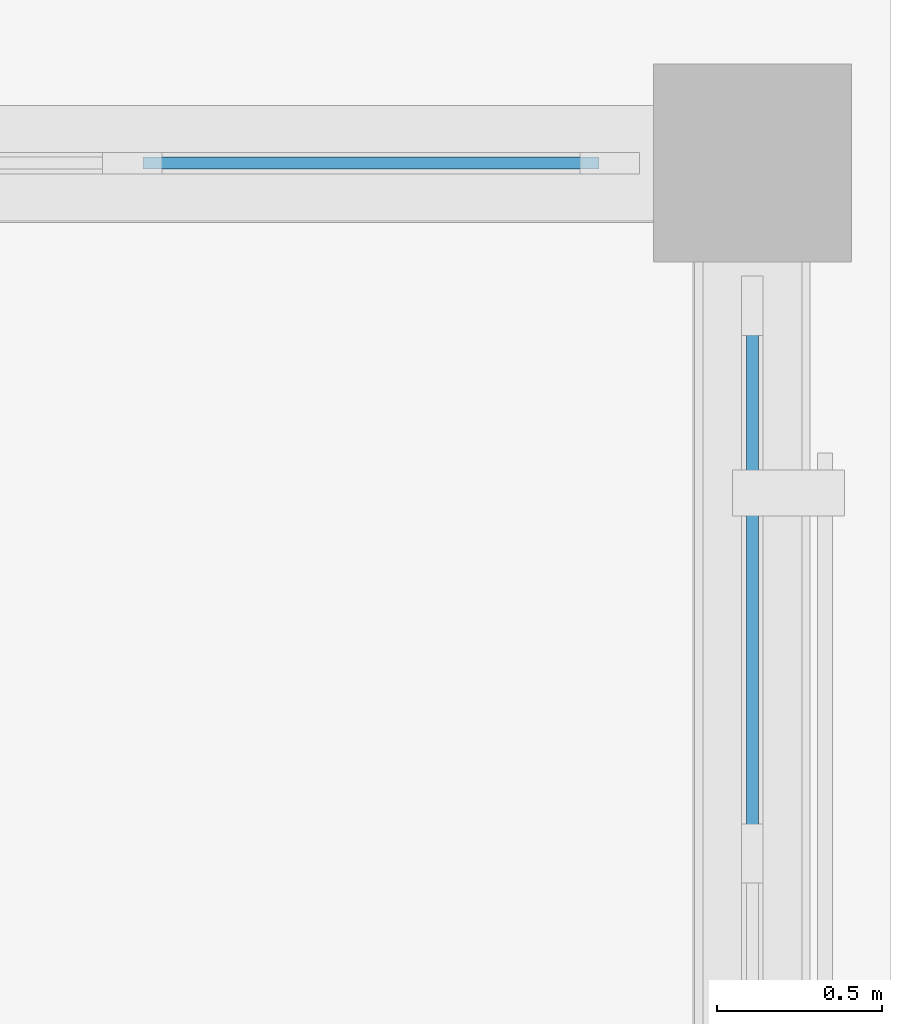
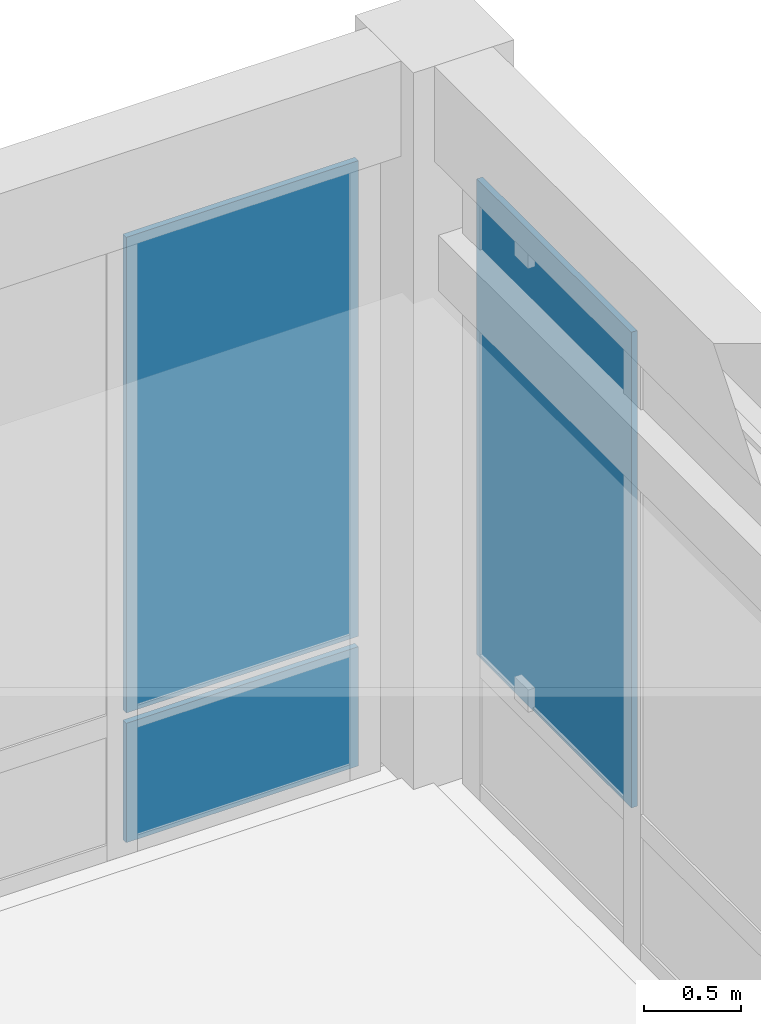
# One storey, part 33 of 49: 3 plates, 2 elements without a shape of their own.
"""IFC4 building model written with IfcOpenShell, lengths in metres."""

import ifcopenshell
import ifcopenshell.guid

model = None  # the IFC model being written
_history = None  # IfcOwnerHistory: only IFC2X3 demands one
_inside = {}  # id of a spatial element -> (the spatial element, [elements in it])
_under = {}  # id of a project, library or spatial element -> (it, [spatial elements below it])
_declared = {}  # id of a project -> (the project, [libraries it declares])
_typed = {}  # id of a type object -> (the type object, [elements of that type])
_made_of = {}  # id of a material, layer set ... -> (it, [elements and type objects made of it])


def new_model(schema):
    """Start an empty IFC model of exactly this schema.

    Asked for "IFC4X3", IfcOpenShell would pick the latest addendum, in which some entities
    have other attributes; the version numbers below select the first issue.
    IFC2X3 requires an IfcOwnerHistory on every rooted entity: one is made here for all.
    """
    global model, _history
    if schema == "IFC4X3":
        model = ifcopenshell.file(schema_version=(4, 3, 0, 0))
    else:
        model = ifcopenshell.file(schema=schema)
    _inside.clear()
    _under.clear()
    _declared.clear()
    _typed.clear()
    _made_of.clear()
    _history = None
    if model.schema == "IFC2X3":
        org = make("IfcOrganization", Name="unknown")
        user = make(
            "IfcPersonAndOrganization",
            ThePerson=make("IfcPerson", FamilyName="unknown"),
            TheOrganization=org,
        )
        app = make(
            "IfcApplication",
            ApplicationDeveloper=org,
            Version="unknown",
            ApplicationFullName="unknown",
            ApplicationIdentifier="unknown",
        )
        _history = make(
            "IfcOwnerHistory",
            OwningUser=user,
            OwningApplication=app,
            ChangeAction="ADDED",
            CreationDate=0,
        )
    return model


def make(cls, **values):
    """One entity of the class cls with the attributes given. An attribute that is None is left unset."""
    return model.create_entity(
        cls, **{name: value for name, value in values.items() if value is not None}
    )


def rooted(cls, **values):
    """An entity with a GlobalId (a new one), such as an element, a storey or a relation."""
    return make(cls, GlobalId=ifcopenshell.guid.new(), OwnerHistory=_history, **values)


def si_unit(unit_type, name, prefix=None):
    """IfcSIUnit, for example si_unit("LENGTHUNIT", "METRE", prefix="MILLI")."""
    return make("IfcSIUnit", UnitType=unit_type, Prefix=prefix, Name=name)


def assignment(units):
    """IfcUnitAssignment: the units of a project."""
    return None if units is None else make("IfcUnitAssignment", Units=units)


def point(xyz):
    """IfcCartesianPoint."""
    return None if xyz is None else make("IfcCartesianPoint", Coordinates=xyz)


def direction(xyz):
    """IfcDirection."""
    return None if xyz is None else make("IfcDirection", DirectionRatios=xyz)


def frame(location, z_axis=None, x_axis=None):
    """IfcAxis2Placement3D, a coordinate frame: its origin and axes. An axis left out is left unset."""
    return make(
        "IfcAxis2Placement3D",
        Location=point(location),
        Axis=direction(z_axis),
        RefDirection=direction(x_axis),
    )


def frame_2d(location, x_axis=None):
    """IfcAxis2Placement2D, a coordinate frame in the plane: its origin and x axis."""
    return make(
        "IfcAxis2Placement2D", Location=point(location), RefDirection=direction(x_axis)
    )


def origin():
    """The frame at (0, 0, 0) with its axes left unset."""
    return frame((0.0, 0.0, 0.0))


def origin_2d():
    """The frame at (0, 0) in the plane with its x axis left unset."""
    return frame_2d((0.0, 0.0))


def place(relative_to, where):
    """IfcLocalPlacement: puts the frame where relative to a parent placement (None: the world)."""
    return make(
        "IfcLocalPlacement", PlacementRelTo=relative_to, RelativePlacement=where
    )


def context(
    kind, dimensions, precision=None, world=None, true_north=None, identifier=None
):
    """IfcGeometricRepresentationContext, for example the 3D "Model" context."""
    return make(
        "IfcGeometricRepresentationContext",
        ContextIdentifier=identifier,
        ContextType=kind,
        CoordinateSpaceDimension=dimensions,
        Precision=precision,
        WorldCoordinateSystem=world,
        TrueNorth=true_north,
    )


def subcontext(parent, identifier, kind, view, scale=None):
    """IfcGeometricRepresentationSubContext, for example "Body" below "Model"."""
    return make(
        "IfcGeometricRepresentationSubContext",
        ContextIdentifier=identifier,
        ContextType=kind,
        ParentContext=parent,
        TargetScale=scale,
        TargetView=view,
    )


def project(units=None, contexts=None):
    """IfcProject with its units and contexts."""
    return rooted(
        "IfcProject",
        Name="project",
        RepresentationContexts=contexts,
        UnitsInContext=assignment(units),
    )


def spatial(cls, under=None, at=None, **own):
    """A site, building, storey or space (cls), placed at a placement, below another one or the project."""
    s = rooted(cls, ObjectPlacement=at, **own)
    if under is not None:
        _under.setdefault(under.id(), (under, []))[1].append(s)
    return s


def profile(cls, at=None, kind="AREA", **sizes):
    """A parametric profile (cls). Its sizes go by their IFC names, for example OverallWidth=200.0."""
    return make(cls, ProfileType=kind, Position=at, **sizes)


def rectangle(**sizes):
    """IfcRectangleProfileDef."""
    return profile("IfcRectangleProfileDef", **sizes)


def extrude(swept, where, along, depth):
    """IfcExtrudedAreaSolid: the profile swept, set in the frame where, extruded along a direction by depth."""
    return make(
        "IfcExtrudedAreaSolid",
        SweptArea=swept,
        Position=where,
        ExtrudedDirection=direction(along),
        Depth=depth,
    )


def shape(context_of_items, identifier, shape_type, items):
    """IfcShapeRepresentation: the items that make up one representation, for example the "Body"."""
    return make(
        "IfcShapeRepresentation",
        ContextOfItems=context_of_items,
        RepresentationIdentifier=identifier,
        RepresentationType=shape_type,
        Items=items,
    )


def material(Name=None, Category=None):
    """IfcMaterial."""
    return make("IfcMaterial", Name=Name, Category=Category)


def layer(
    of_material, thickness, ventilated=None, Name=None, Category=None, Priority=None
):
    """IfcMaterialLayer: one layer of a wall or slab, of a material (None: an air gap)."""
    return make(
        "IfcMaterialLayer",
        Material=of_material,
        LayerThickness=thickness,
        IsVentilated=ventilated,
        Name=Name,
        Category=Category,
        Priority=Priority,
    )


def layer_set(layers, Name=None):
    """IfcMaterialLayerSet."""
    return make("IfcMaterialLayerSet", MaterialLayers=layers, LayerSetName=Name)


def made_of(thing, what):
    """Note that an element or type object is made of a material, layer set ...; save() writes the relation."""
    if what is not None:
        _made_of.setdefault(what.id(), (what, []))[1].append(thing)
    return thing


def type_object(cls, material=None, **own):
    """A type object (cls), such as IfcWallType, which elements share."""
    return made_of(rooted(cls, **own), material)


def element(
    cls,
    number,
    at=None,
    inside=None,
    cuts=None,
    type_object=None,
    material=None,
    context=None,
    identifier="Body",
    shape_type=None,
    held_by="IfcProductDefinitionShape",
    body=None,
    shapes=None,
    **own,
):
    """One element of the class cls, such as IfcWall. Its Tag is "e" and its number.

    at: its placement. inside: the storey or other place that contains it. cuts: it is an
    opening in that element (IfcRelVoidsElement). A single representation is given by context,
    identifier, shape_type and body (its items); several are given by shapes. held_by: the class
    of the entity that holds the representations. save() writes the other relations.
    """
    e = rooted(cls, Tag="e%d" % number, ObjectPlacement=at, **own)
    if body is not None:
        shapes = [shape(context, identifier, shape_type, body)]
    if shapes is not None:
        e.Representation = make(held_by, Representations=shapes)
    if inside is not None:
        _inside.setdefault(inside.id(), (inside, []))[1].append(e)
    if cuts is not None:
        rooted(
            "IfcRelVoidsElement", RelatingBuildingElement=cuts, RelatedOpeningElement=e
        )
    if type_object is not None:
        _typed.setdefault(type_object.id(), (type_object, []))[1].append(e)
    return made_of(e, material)


def aggregate(whole, parts):
    """IfcRelAggregates: a whole, such as a stair, and the parts it consists of."""
    return rooted("IfcRelAggregates", RelatingObject=whole, RelatedObjects=parts)


def save(model, path):
    """Write the relations noted so far, then the file.

    IfcRelAggregates (storeys below a building ...), IfcRelContainedInSpatialStructure (elements
    in a storey), IfcRelDefinesByType, IfcRelAssociatesMaterial and IfcRelDeclares: one each for
    every whole, place, type object, material and project.
    """
    for whole, parts in _under.values():
        aggregate(whole, parts)
    for where, things in _inside.values():
        rooted(
            "IfcRelContainedInSpatialStructure",
            RelatedElements=things,
            RelatingStructure=where,
        )
    for kind, things in _typed.values():
        rooted("IfcRelDefinesByType", RelatedObjects=things, RelatingType=kind)
    for what, things in _made_of.values():
        rooted("IfcRelAssociatesMaterial", RelatedObjects=things, RelatingMaterial=what)
    for by, libraries in _declared.values():
        rooted("IfcRelDeclares", RelatingContext=by, RelatedDefinitions=libraries)
    model.write(path)


model = new_model("IFC4")

# Units and contexts
model_context = context("Model", 3, precision=1e-05, world=origin(), true_north=direction((0.0, 1.0)))
body_context = subcontext(model_context, "Body", "Model", "MODEL_VIEW")
ifc_project = project(units=[si_unit("LENGTHUNIT", "METRE"), si_unit("AREAUNIT", "SQUARE_METRE"), si_unit("VOLUMEUNIT", "CUBIC_METRE"), si_unit("PLANEANGLEUNIT", "RADIAN"), si_unit("MASSUNIT", "GRAM", prefix="KILO")], contexts=[model_context])

# Site, building, storey
site_placement = place(None, origin())
site = spatial("IfcSite", under=ifc_project, at=site_placement, CompositionType="ELEMENT")
building_placement = place(site_placement, origin())
building = spatial("IfcBuilding", under=site, at=building_placement, Name="Qandaris Square Conservatory and Botanical Centre", CompositionType="ELEMENT")
storey_placement = place(building_placement, frame((0.0, 0.0, 10.199951171875)))
storey = spatial("IfcBuildingStorey", under=building, at=storey_placement, Name="L02", CompositionType="ELEMENT", Elevation=10.199951171875)

# Curtain wall, plate
ifc_material_1 = material(Name="Anodised Aluminium", Category="aluminium")
curtain_wall_type_1 = type_object("IfcCurtainWallType", Name="Unitised Curtain Wall CW-4-677x394", PredefinedType="USERDEFINED", material=ifc_material_1)
curtain_wall_1_placement = place(storey_placement, origin())
curtain_wall_1 = element("IfcCurtainWall", 1, at=curtain_wall_1_placement, inside=storey, type_object=curtain_wall_type_1, Name="Curtain Wall CW-TWR-L02-2-11", ObjectType="GLAZED CURTAIN WALL", PredefinedType="USERDEFINED")
ifc_material_2 = material(Name="Tempered Low-E Glass", Category="glass")
ifc_layer = layer(ifc_material_2, 0.035888671875)
ifc_layer_set = layer_set([ifc_layer], Name="Tempered Low-E Glass")
plate_type = type_object("IfcPlateType", Name="Double-Glazed Solar Control Vision Unit 36mm", PredefinedType="CURTAIN_PANEL", material=ifc_layer_set)
plate_1_placement = place(storey_placement, frame((163.800048828125, 98.936767578125, 0.882568359375), z_axis=(0.0, 0.0, 1.0), x_axis=(0.0, 1.0, 0.0)))
plate_1 = element("IfcPlate", 2, at=plate_1_placement, type_object=plate_type, Name="CW-4-677x394 panel 4.2", PredefinedType="CURTAIN_PANEL", context=body_context, shape_type="SweptSolid", body=[
    extrude(rectangle(XDim=1.59619140625, YDim=0.035888671875, at=origin_2d()), origin(), (0.0, 0.0, 1.0), 2.99755859375),
])
aggregate(curtain_wall_1, [plate_1])

# Curtain wall, plates
curtain_wall_type_2 = type_object("IfcCurtainWallType", Name="Unitised Curtain Wall CW-3-740x394", PredefinedType="USERDEFINED", material=ifc_material_1)
curtain_wall_2_placement = place(storey_placement, origin())
curtain_wall_2 = element("IfcCurtainWall", 3, at=curtain_wall_2_placement, inside=storey, type_object=curtain_wall_type_2, Name="Curtain Wall CW-TWR-L02-3-1", ObjectType="GLAZED CURTAIN WALL", PredefinedType="USERDEFINED")
plate_2_placement = place(storey_placement, frame((162.643798828125, 100.199951171875, 0.065185546875), z_axis=(0.0, 0.0, 1.0), x_axis=(-1.0, 0.0, 0.0)))
plate_2 = element("IfcPlate", 4, at=plate_2_placement, type_object=plate_type, Name="CW-3-740x394 panel 1.1", PredefinedType="CURTAIN_PANEL", context=body_context, shape_type="SweptSolid", body=[
    extrude(rectangle(XDim=1.382568359375, YDim=0.035888671875, at=origin_2d()), origin(), (0.0, 0.0, 1.0), 0.75244140625),
])
plate_3_placement = place(storey_placement, frame((162.643798828125, 100.199951171875, 0.882568359375), z_axis=(0.0, 0.0, 1.0), x_axis=(-1.0, 0.0, 0.0)))
plate_3 = element("IfcPlate", 5, at=plate_3_placement, type_object=plate_type, Name="CW-3-740x394 panel 1.2", PredefinedType="CURTAIN_PANEL", context=body_context, shape_type="SweptSolid", body=[
    extrude(rectangle(XDim=1.382568359375, YDim=0.035888671875, at=origin_2d()), origin(), (0.0, 0.0, 1.0), 2.99755859375),
])
aggregate(curtain_wall_2, [plate_2, plate_3])

save(model, "model.ifc")
